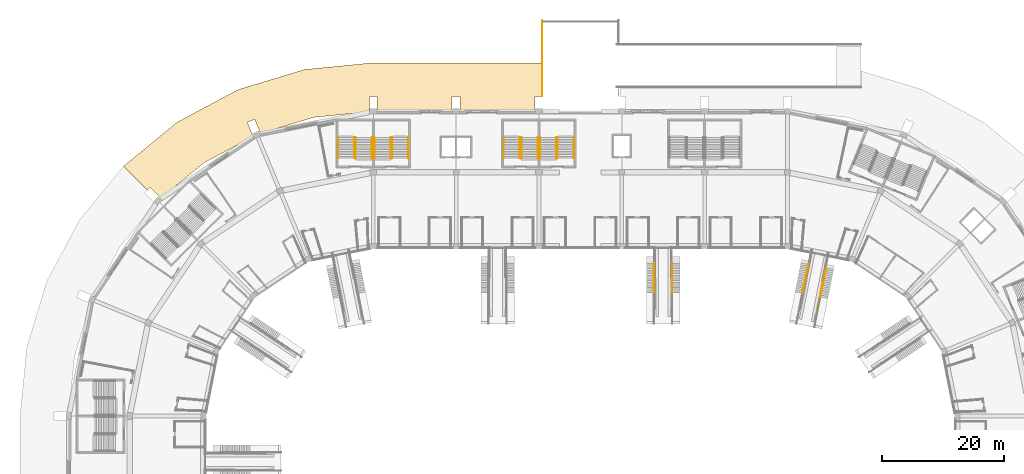
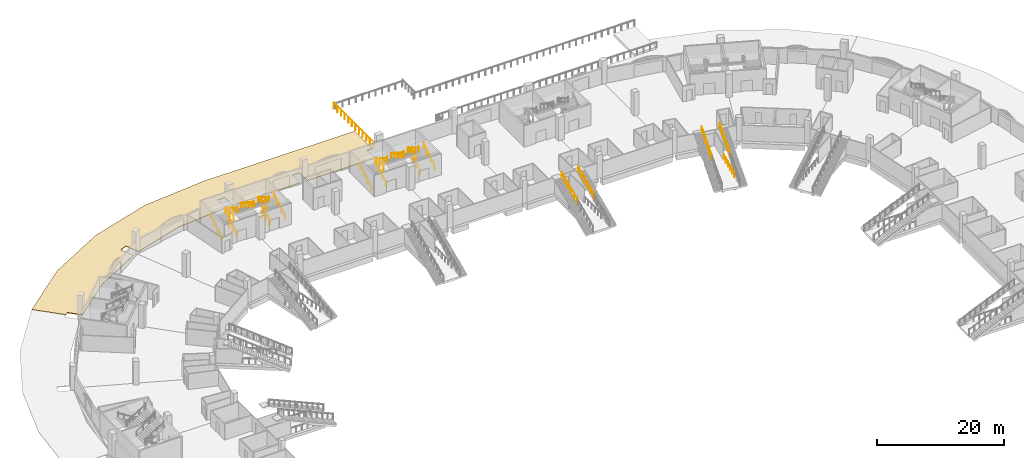
# One storey, part 165 of 175: 28 railings, 1 covering.
"""IFC4 building model written with IfcOpenShell, lengths in metres."""

from ifc_helpers import new_model, si_unit, direction, frame, origin, origin_2d, place, context, subcontext, project, spatial, polyline, circle, outline, extrude, material, layer, layer_set, type_object, element, save


model = new_model("IFC4")

# Units and contexts
model_context = context("Model", 3, precision=1e-05, world=origin(), true_north=direction((0.0, 1.0)))
body_context = subcontext(model_context, "Body", "Model", "MODEL_VIEW")
ifc_project = project(units=[si_unit("LENGTHUNIT", "METRE"), si_unit("AREAUNIT", "SQUARE_METRE"), si_unit("VOLUMEUNIT", "CUBIC_METRE"), si_unit("PLANEANGLEUNIT", "RADIAN"), si_unit("MASSUNIT", "GRAM", prefix="KILO")], contexts=[model_context])

# Site, building, storey
site_placement = place(None, origin())
site = spatial("IfcSite", under=ifc_project, at=site_placement, CompositionType="ELEMENT")
building_placement = place(site_placement, origin())
building = spatial("IfcBuilding", under=site, at=building_placement, Name="Ogive Plaza Stadium", CompositionType="ELEMENT")
storey_placement = place(building_placement, origin())
storey = spatial("IfcBuildingStorey", under=building, at=storey_placement, Name="L00", CompositionType="ELEMENT", Elevation=0.0)

# Railings
ifc_material_1 = material(Name="Steel ASTM A572 Grade 50", Category="steel")
railing_type_1 = type_object("IfcRailingType", Name="Guard 1100", PredefinedType="GUARDRAIL", material=ifc_material_1)
for number, where, name in (
    (1, (-31.02490234375, 94.85009765625, 0.0), "Stair well guard ST32A L00"),
    (2, (-31.02490234375, 95.81005859375, 2.25), "Stair well guard ST32A L00"),
    (3, (-36.97509765625, 94.85009765625, 0.0), "Stair well guard ST32B L00"),
    (4, (-36.97509765625, 95.81005859375, 2.25), "Stair well guard ST32B L00"),
    (5, (-3.824951171875, 95.81005859375, 2.25), "Stair well guard ST34A L00"),
    (6, (-9.77490234375, 95.81005859375, 2.25), "Stair well guard ST34B L00"),
):
    element("IfcRailing", number, at=place(storey_placement, frame(where)), inside=storey, type_object=railing_type_1, Name=name, PredefinedType="GUARDRAIL", context=body_context, shape_type="SweptSolid", body=[
        extrude(circle(Radius=0.02392578125, at=origin_2d()), frame((0.0, 0.0, 1.076171875), z_axis=(0.0, 1.0, 0.0), x_axis=(-1.0, 0.0, 0.0)), (0.0, 0.0, 1.0), 2.39990234375),
        extrude(circle(Radius=0.02099609375, at=origin_2d()), origin(), (0.0, 0.0, 1.0), 1.052001953125),
        extrude(circle(Radius=0.02099609375, at=origin_2d()), frame((0.0, 1.199951171875, 0.0)), (0.0, 0.0, 1.0), 1.052001953125),
        extrude(circle(Radius=0.02099609375, at=origin_2d()), frame((0.0, 2.39990234375, 0.0)), (0.0, 0.0, 1.0), 1.052001953125),
    ])
for number, where, name in (
    (7, (15.10009765625, 72.75, 2.375), "Vomitory guard B35"),
    (8, (12.10009765625, 72.75, 2.375), "Vomitory guard B35"),
):
    element("IfcRailing", number, at=place(storey_placement, frame(where)), inside=storey, type_object=railing_type_1, Name=name, PredefinedType="GUARDRAIL", context=body_context, shape_type="SweptSolid", body=[
        extrude(circle(Radius=0.02392578125, at=origin_2d()), frame((0.0, 0.0, 1.076171875), z_axis=(0.0, 0.914917297869, 0.403641348302), x_axis=(-1.0, 0.0, 0.0)), (0.0, 0.0, 1.0), 5.2646484375),
        extrude(circle(Radius=0.02099609375, at=origin_2d()), origin(), (0.0, 0.0, 1.0), 1.052001953125),
        extrude(circle(Radius=0.02099609375, at=origin_2d()), frame((0.0, 0.96337890625, 0.425048828125)), (0.0, 0.0, 1.0), 1.052001953125),
        extrude(circle(Radius=0.02099609375, at=origin_2d()), frame((0.0, 1.9267578125, 0.85009765625)), (0.0, 0.0, 1.0), 1.052001953125),
        extrude(circle(Radius=0.02099609375, at=origin_2d()), frame((0.0, 2.889892578125, 1.27490234375)), (0.0, 0.0, 1.0), 1.052001953125),
        extrude(circle(Radius=0.02099609375, at=origin_2d()), frame((0.0, 3.853271484375, 1.699951171875)), (0.0, 0.0, 1.0), 1.052001953125),
        extrude(circle(Radius=0.02099609375, at=origin_2d()), frame((0.0, 4.816650390625, 2.125)), (0.0, 0.0, 1.0), 1.052001953125),
    ])
railing_1_placement = place(storey_placement, frame((39.421875, 72.068359375, 2.375)))
element("IfcRailing", 9, at=railing_1_placement, inside=storey, type_object=railing_type_1, Name="Vomitory guard B37", PredefinedType="GUARDRAIL", context=body_context, shape_type="SweptSolid", body=[
    extrude(circle(Radius=0.02392578125, at=origin_2d()), frame((0.0, 0.0, 1.076171875), z_axis=(0.178448795571, 0.897345164841, 0.403643013684), x_axis=(-0.980794534709, 0.195043791709, 0.0)), (0.0, 0.0, 1.0), 5.2646484375),
    extrude(circle(Radius=0.02099609375, at=origin_2d()), origin(), (0.0, 0.0, 1.0), 1.052001953125),
    extrude(circle(Radius=0.02099609375, at=origin_2d()), frame((0.18798828125, 0.94482421875, 0.425048828125)), (0.0, 0.0, 1.0), 1.052001953125),
    extrude(circle(Radius=0.02099609375, at=origin_2d()), frame((0.375732421875, 1.8896484375, 0.85009765625)), (0.0, 0.0, 1.0), 1.052001953125),
    extrude(circle(Radius=0.02099609375, at=origin_2d()), frame((0.563720703125, 2.83447265625, 1.27490234375)), (0.0, 0.0, 1.0), 1.052001953125),
    extrude(circle(Radius=0.02099609375, at=origin_2d()), frame((0.75146484375, 3.779296875, 1.699951171875)), (0.0, 0.0, 1.0), 1.052001953125),
    extrude(circle(Radius=0.02099609375, at=origin_2d()), frame((0.939453125, 4.72412109375, 2.125)), (0.0, 0.0, 1.0), 1.052001953125),
])
railing_2_placement = place(storey_placement, frame((36.4794921875, 72.653564453125, 2.375)))
element("IfcRailing", 10, at=railing_2_placement, inside=storey, type_object=railing_type_1, Name="Vomitory guard B37", PredefinedType="GUARDRAIL", context=body_context, shape_type="SweptSolid", body=[
    extrude(circle(Radius=0.02392578125, at=origin_2d()), frame((0.0, 0.0, 1.076171875), z_axis=(0.178493692695, 0.897337738024, 0.403639672959), x_axis=(-0.980784837267, 0.1950925498, 0.0)), (0.0, 0.0, 1.0), 5.2646484375),
    extrude(circle(Radius=0.02099609375, at=origin_2d()), origin(), (0.0, 0.0, 1.0), 1.052001953125),
    extrude(circle(Radius=0.02099609375, at=origin_2d()), frame((0.18798828125, 0.94482421875, 0.425048828125)), (0.0, 0.0, 1.0), 1.052001953125),
    extrude(circle(Radius=0.02099609375, at=origin_2d()), frame((0.3759765625, 1.8896484375, 0.85009765625)), (0.0, 0.0, 1.0), 1.052001953125),
    extrude(circle(Radius=0.02099609375, at=origin_2d()), frame((0.563720703125, 2.83447265625, 1.27490234375)), (0.0, 0.0, 1.0), 1.052001953125),
    extrude(circle(Radius=0.02099609375, at=origin_2d()), frame((0.751708984375, 3.779296875, 1.699951171875)), (0.0, 0.0, 1.0), 1.052001953125),
    extrude(circle(Radius=0.02099609375, at=origin_2d()), frame((0.939697265625, 4.72412109375, 2.125)), (0.0, 0.0, 1.0), 1.052001953125),
])
railing_3_placement = place(storey_placement, frame((38.834716796875, 69.52734375, 0.0)))
element("IfcRailing", 11, at=railing_3_placement, inside=storey, type_object=railing_type_1, Name="Vomitory edge guard B37", PredefinedType="GUARDRAIL", context=body_context, shape_type="SweptSolid", body=[
    extrude(circle(Radius=0.02392578125, at=origin_2d()), frame((0.0, 0.0, 1.076171875), z_axis=(0.195105414578, 0.980782278185, 0.0), x_axis=(-0.980782278185, 0.195105414578, 0.0)), (0.0, 0.0, 1.0), 5.15673828125),
    extrude(circle(Radius=0.02099609375, at=origin_2d()), origin(), (0.0, 0.0, 1.0), 1.052001953125),
    extrude(circle(Radius=0.02099609375, at=origin_2d()), frame((0.201171875, 1.011474609375, 0.0)), (0.0, 0.0, 1.0), 1.052001953125),
    extrude(circle(Radius=0.02099609375, at=origin_2d()), frame((0.40234375, 2.02294921875, 0.0)), (0.0, 0.0, 1.0), 1.052001953125),
    extrude(circle(Radius=0.02099609375, at=origin_2d()), frame((0.603759765625, 3.03466796875, 0.0)), (0.0, 0.0, 1.0), 1.052001953125),
    extrude(circle(Radius=0.02099609375, at=origin_2d()), frame((0.804931640625, 4.046142578125, 0.0)), (0.0, 0.0, 1.0), 1.052001953125),
    extrude(circle(Radius=0.02099609375, at=origin_2d()), frame((1.006103515625, 5.0576171875, 0.0)), (0.0, 0.0, 1.0), 1.052001953125),
])
ifc_material_2 = material(Name="Steel ASTM A572 Grade 50", Category="steel")
railing_type_2 = type_object("IfcRailingType", Name="Handrail 900", PredefinedType="HANDRAIL", material=ifc_material_2)
for number, where, name in (
    (12, (-28.235107421875, 94.85009765625, 0.173095703125), "Handrail ST32A L00"),
    (13, (-30.9150390625, 94.85009765625, 0.173095703125), "Handrail ST32A L00"),
):
    element("IfcRailing", number, at=place(storey_placement, frame(where)), inside=storey, type_object=railing_type_2, Name=name, PredefinedType="HANDRAIL", context=body_context, shape_type="SweptSolid", body=[
        extrude(circle(Radius=0.02392578125, at=origin_2d()), frame((0.0, 0.0, 0.8759765625), z_axis=(0.0, 0.850606129759, 0.525803396734), x_axis=(-1.0, 0.0, 0.0)), (0.0, 0.0, 1.0), 3.949951171875),
        extrude(circle(Radius=0.02099609375, at=origin_2d()), origin(), (0.0, 0.0, 1.0), 0.851806640625),
        extrude(circle(Radius=0.02099609375, at=origin_2d()), frame((0.0, 1.119873046875, 0.6923828125)), (0.0, 0.0, 1.0), 0.851806640625),
        extrude(circle(Radius=0.02099609375, at=origin_2d()), frame((0.0, 2.239990234375, 1.384521484375)), (0.0, 0.0, 1.0), 0.851806640625),
        extrude(circle(Radius=0.02099609375, at=origin_2d()), frame((0.0, 3.35986328125, 2.076904296875)), (0.0, 0.0, 1.0), 1.10009765625),
    ])
for number, where, name in (
    (14, (-31.135009765625, 98.2099609375, 2.423095703125), "Handrail ST32A L00"),
    (15, (-33.81494140625, 98.2099609375, 2.423095703125), "Handrail ST32A L00"),
):
    element("IfcRailing", number, at=place(storey_placement, frame(where)), inside=storey, type_object=railing_type_2, Name=name, PredefinedType="HANDRAIL", context=body_context, shape_type="SweptSolid", body=[
        extrude(circle(Radius=0.02392578125, at=origin_2d()), frame((0.0, 0.0, 0.8759765625), z_axis=(0.0, -0.850606129759, 0.525803396734), x_axis=(1.0, 0.0, 0.0)), (0.0, 0.0, 1.0), 3.949951171875),
        extrude(circle(Radius=0.02099609375, at=origin_2d()), origin(), (0.0, 0.0, 1.0), 0.851806640625),
        extrude(circle(Radius=0.02099609375, at=origin_2d()), frame((0.0, -1.119873046875, 0.6923828125)), (0.0, 0.0, 1.0), 0.851806640625),
        extrude(circle(Radius=0.02099609375, at=origin_2d()), frame((0.0, -2.239990234375, 1.384521484375)), (0.0, 0.0, 1.0), 0.851806640625),
        extrude(circle(Radius=0.02099609375, at=origin_2d()), frame((0.0, -3.35986328125, 2.076904296875)), (0.0, 0.0, 1.0), 1.10009765625),
    ])
for number, where, name in (
    (16, (-37.0849609375, 94.85009765625, 0.173095703125), "Handrail ST32B L00"),
    (17, (-39.764892578125, 94.85009765625, 0.173095703125), "Handrail ST32B L00"),
):
    element("IfcRailing", number, at=place(storey_placement, frame(where)), inside=storey, type_object=railing_type_2, Name=name, PredefinedType="HANDRAIL", context=body_context, shape_type="SweptSolid", body=[
        extrude(circle(Radius=0.02392578125, at=origin_2d()), frame((0.0, 0.0, 0.8759765625), z_axis=(0.0, 0.850606129759, 0.525803396734), x_axis=(-1.0, 0.0, 0.0)), (0.0, 0.0, 1.0), 3.949951171875),
        extrude(circle(Radius=0.02099609375, at=origin_2d()), origin(), (0.0, 0.0, 1.0), 0.851806640625),
        extrude(circle(Radius=0.02099609375, at=origin_2d()), frame((0.0, 1.119873046875, 0.6923828125)), (0.0, 0.0, 1.0), 0.851806640625),
        extrude(circle(Radius=0.02099609375, at=origin_2d()), frame((0.0, 2.239990234375, 1.384521484375)), (0.0, 0.0, 1.0), 0.851806640625),
        extrude(circle(Radius=0.02099609375, at=origin_2d()), frame((0.0, 3.35986328125, 2.076904296875)), (0.0, 0.0, 1.0), 1.10009765625),
    ])
for number, where, name in (
    (18, (-34.18505859375, 98.2099609375, 2.423095703125), "Handrail ST32B L00"),
    (19, (-36.864990234375, 98.2099609375, 2.423095703125), "Handrail ST32B L00"),
):
    element("IfcRailing", number, at=place(storey_placement, frame(where)), inside=storey, type_object=railing_type_2, Name=name, PredefinedType="HANDRAIL", context=body_context, shape_type="SweptSolid", body=[
        extrude(circle(Radius=0.02392578125, at=origin_2d()), frame((0.0, 0.0, 0.8759765625), z_axis=(0.0, -0.850606129759, 0.525803396734), x_axis=(1.0, 0.0, 0.0)), (0.0, 0.0, 1.0), 3.949951171875),
        extrude(circle(Radius=0.02099609375, at=origin_2d()), origin(), (0.0, 0.0, 1.0), 0.851806640625),
        extrude(circle(Radius=0.02099609375, at=origin_2d()), frame((0.0, -1.119873046875, 0.6923828125)), (0.0, 0.0, 1.0), 0.851806640625),
        extrude(circle(Radius=0.02099609375, at=origin_2d()), frame((0.0, -2.239990234375, 1.384521484375)), (0.0, 0.0, 1.0), 0.851806640625),
        extrude(circle(Radius=0.02099609375, at=origin_2d()), frame((0.0, -3.35986328125, 2.076904296875)), (0.0, 0.0, 1.0), 1.10009765625),
    ])
for number, where, name in (
    (20, (-1.034912109375, 94.85009765625, 0.173095703125), "Handrail ST34A L00"),
    (21, (-3.715087890625, 94.85009765625, 0.173095703125), "Handrail ST34A L00"),
):
    element("IfcRailing", number, at=place(storey_placement, frame(where)), inside=storey, type_object=railing_type_2, Name=name, PredefinedType="HANDRAIL", context=body_context, shape_type="SweptSolid", body=[
        extrude(circle(Radius=0.02392578125, at=origin_2d()), frame((0.0, 0.0, 0.8759765625), z_axis=(0.0, 0.850606129759, 0.525803396734), x_axis=(-1.0, 0.0, 0.0)), (0.0, 0.0, 1.0), 3.949951171875),
        extrude(circle(Radius=0.02099609375, at=origin_2d()), origin(), (0.0, 0.0, 1.0), 0.851806640625),
        extrude(circle(Radius=0.02099609375, at=origin_2d()), frame((0.0, 1.119873046875, 0.6923828125)), (0.0, 0.0, 1.0), 0.851806640625),
        extrude(circle(Radius=0.02099609375, at=origin_2d()), frame((0.0, 2.239990234375, 1.384521484375)), (0.0, 0.0, 1.0), 0.851806640625),
        extrude(circle(Radius=0.02099609375, at=origin_2d()), frame((0.0, 3.35986328125, 2.076904296875)), (0.0, 0.0, 1.0), 1.10009765625),
    ])
for number, where, name in (
    (22, (-3.93505859375, 98.2099609375, 2.423095703125), "Handrail ST34A L00"),
    (23, (-6.614990234375, 98.2099609375, 2.423095703125), "Handrail ST34A L00"),
):
    element("IfcRailing", number, at=place(storey_placement, frame(where)), inside=storey, type_object=railing_type_2, Name=name, PredefinedType="HANDRAIL", context=body_context, shape_type="SweptSolid", body=[
        extrude(circle(Radius=0.02392578125, at=origin_2d()), frame((0.0, 0.0, 0.8759765625), z_axis=(0.0, -0.850606129759, 0.525803396734), x_axis=(1.0, 0.0, 0.0)), (0.0, 0.0, 1.0), 3.949951171875),
        extrude(circle(Radius=0.02099609375, at=origin_2d()), origin(), (0.0, 0.0, 1.0), 0.851806640625),
        extrude(circle(Radius=0.02099609375, at=origin_2d()), frame((0.0, -1.119873046875, 0.6923828125)), (0.0, 0.0, 1.0), 0.851806640625),
        extrude(circle(Radius=0.02099609375, at=origin_2d()), frame((0.0, -2.239990234375, 1.384521484375)), (0.0, 0.0, 1.0), 0.851806640625),
        extrude(circle(Radius=0.02099609375, at=origin_2d()), frame((0.0, -3.35986328125, 2.076904296875)), (0.0, 0.0, 1.0), 1.10009765625),
    ])
for number, where, name in (
    (24, (-9.885009765625, 94.85009765625, 0.173095703125), "Handrail ST34B L00"),
    (25, (-12.56494140625, 94.85009765625, 0.173095703125), "Handrail ST34B L00"),
):
    element("IfcRailing", number, at=place(storey_placement, frame(where)), inside=storey, type_object=railing_type_2, Name=name, PredefinedType="HANDRAIL", context=body_context, shape_type="SweptSolid", body=[
        extrude(circle(Radius=0.02392578125, at=origin_2d()), frame((0.0, 0.0, 0.8759765625), z_axis=(0.0, 0.850606129759, 0.525803396734), x_axis=(-1.0, 0.0, 0.0)), (0.0, 0.0, 1.0), 3.949951171875),
        extrude(circle(Radius=0.02099609375, at=origin_2d()), origin(), (0.0, 0.0, 1.0), 0.851806640625),
        extrude(circle(Radius=0.02099609375, at=origin_2d()), frame((0.0, 1.119873046875, 0.6923828125)), (0.0, 0.0, 1.0), 0.851806640625),
        extrude(circle(Radius=0.02099609375, at=origin_2d()), frame((0.0, 2.239990234375, 1.384521484375)), (0.0, 0.0, 1.0), 0.851806640625),
        extrude(circle(Radius=0.02099609375, at=origin_2d()), frame((0.0, 3.35986328125, 2.076904296875)), (0.0, 0.0, 1.0), 1.10009765625),
    ])
for number, where, name in (
    (26, (-6.985107421875, 98.2099609375, 2.423095703125), "Handrail ST34B L00"),
    (27, (-9.6650390625, 98.2099609375, 2.423095703125), "Handrail ST34B L00"),
):
    element("IfcRailing", number, at=place(storey_placement, frame(where)), inside=storey, type_object=railing_type_2, Name=name, PredefinedType="HANDRAIL", context=body_context, shape_type="SweptSolid", body=[
        extrude(circle(Radius=0.02392578125, at=origin_2d()), frame((0.0, 0.0, 0.8759765625), z_axis=(0.0, -0.850606129759, 0.525803396734), x_axis=(1.0, 0.0, 0.0)), (0.0, 0.0, 1.0), 3.949951171875),
        extrude(circle(Radius=0.02099609375, at=origin_2d()), origin(), (0.0, 0.0, 1.0), 0.851806640625),
        extrude(circle(Radius=0.02099609375, at=origin_2d()), frame((0.0, -1.119873046875, 0.6923828125)), (0.0, 0.0, 1.0), 0.851806640625),
        extrude(circle(Radius=0.02099609375, at=origin_2d()), frame((0.0, -2.239990234375, 1.384521484375)), (0.0, 0.0, 1.0), 0.851806640625),
        extrude(circle(Radius=0.02099609375, at=origin_2d()), frame((0.0, -3.35986328125, 2.076904296875)), (0.0, 0.0, 1.0), 1.10009765625),
    ])

# Covering
ifc_material_3 = material(Name="Granite paving", Category="masonry")
ifc_layer = layer(ifc_material_3, 0.1201171875)
ifc_layer_set = layer_set([ifc_layer], Name="Paving 120")
covering_type = type_object("IfcCoveringType", Name="Paving 120", PredefinedType="USERDEFINED", material=ifc_layer_set)
covering_placement = place(storey_placement, frame((0.0, 0.0, -0.1201171875)))
element("IfcCovering", 28, at=covering_placement, inside=storey, type_object=covering_type, Name="Paving North 1", ObjectType="PAVING", PredefinedType="USERDEFINED", context=body_context, shape_type="SweptSolid", body=[
    extrude(outline(polyline([(-75.01220703125, 93.51220703125), (-66.22314453125, 100.725341796875), (-56.195556640625, 106.0849609375), (-45.315185546875, 109.385498046875), (-34.0, 110.5), (-6.5, 110.5), (-6.5, 104.949951171875), (-7.449951171875, 104.949951171875), (-7.449951171875, 102.5), (-19.75, 102.5), (-19.75, 104.949951171875), (-21.050048828125, 104.949951171875), (-21.050048828125, 102.5), (-33.35009765625, 102.5), (-33.35009765625, 104.949951171875), (-34.64990234375, 104.949951171875), (-34.64990234375, 102.449951171875), (-34.507568359375, 102.449951171875), (-43.75439453125, 101.539306640625), (-52.64599609375, 98.842041015625), (-52.514404296875, 98.896484375), (-53.47119140625, 101.206298828125), (-54.67236328125, 100.708740234375), (-53.715576171875, 98.39892578125), (-53.583984375, 98.45361328125), (-61.778564453125, 94.073486328125), (-68.9609375, 88.178955078125), (-68.8603515625, 88.279541015625), (-70.628173828125, 90.04736328125), (-71.087646484375, 89.587646484375), (-75.01220703125, 93.51220703125), (-75.01220703125, 93.51220703125)])), origin(), (0.0, 0.0, 1.0), 0.1201171875),
])

# Railing
ifc_material_4 = material(Name="Stainless steel", Category="steel")
railing_type_3 = type_object("IfcRailingType", Name="Station guard 1100", PredefinedType="GUARDRAIL", material=ifc_material_4)
railing_4_placement = place(storey_placement, frame((-6.25, 105.0, 0.0)))
element("IfcRailing", 29, at=railing_4_placement, inside=storey, type_object=railing_type_3, Name="Station guard 1100 GR-SW1", PredefinedType="GUARDRAIL", context=body_context, shape_type="SweptSolid", body=[
    extrude(circle(Radius=0.02392578125, at=origin_2d()), frame((0.0, 0.0, 1.076171875), z_axis=(0.0, 1.0, 0.0), x_axis=(-1.0, 0.0, 0.0)), (0.0, 0.0, 1.0), 12.5),
    extrude(circle(Radius=0.02099609375, at=origin_2d()), origin(), (0.0, 0.0, 1.0), 1.052001953125),
    extrude(circle(Radius=0.02099609375, at=origin_2d()), frame((0.0, 1.136474609375, 0.0)), (0.0, 0.0, 1.0), 1.052001953125),
    extrude(circle(Radius=0.02099609375, at=origin_2d()), frame((0.0, 2.272705078125, 0.0)), (0.0, 0.0, 1.0), 1.052001953125),
    extrude(circle(Radius=0.02099609375, at=origin_2d()), frame((0.0, 3.4091796875, 0.0)), (0.0, 0.0, 1.0), 1.052001953125),
    extrude(circle(Radius=0.02099609375, at=origin_2d()), frame((0.0, 4.54541015625, 0.0)), (0.0, 0.0, 1.0), 1.052001953125),
    extrude(circle(Radius=0.02099609375, at=origin_2d()), frame((0.0, 5.681884765625, 0.0)), (0.0, 0.0, 1.0), 1.052001953125),
    extrude(circle(Radius=0.02099609375, at=origin_2d()), frame((0.0, 6.818115234375, 0.0)), (0.0, 0.0, 1.0), 1.052001953125),
    extrude(circle(Radius=0.02099609375, at=origin_2d()), frame((0.0, 7.95458984375, 0.0)), (0.0, 0.0, 1.0), 1.052001953125),
    extrude(circle(Radius=0.02099609375, at=origin_2d()), frame((0.0, 9.0908203125, 0.0)), (0.0, 0.0, 1.0), 1.052001953125),
    extrude(circle(Radius=0.02099609375, at=origin_2d()), frame((0.0, 10.227294921875, 0.0)), (0.0, 0.0, 1.0), 1.052001953125),
    extrude(circle(Radius=0.02099609375, at=origin_2d()), frame((0.0, 11.363525390625, 0.0)), (0.0, 0.0, 1.0), 1.052001953125),
    extrude(circle(Radius=0.02099609375, at=origin_2d()), frame((0.0, 12.5, 0.0)), (0.0, 0.0, 1.0), 1.052001953125),
])

save(model, "model.ifc")
